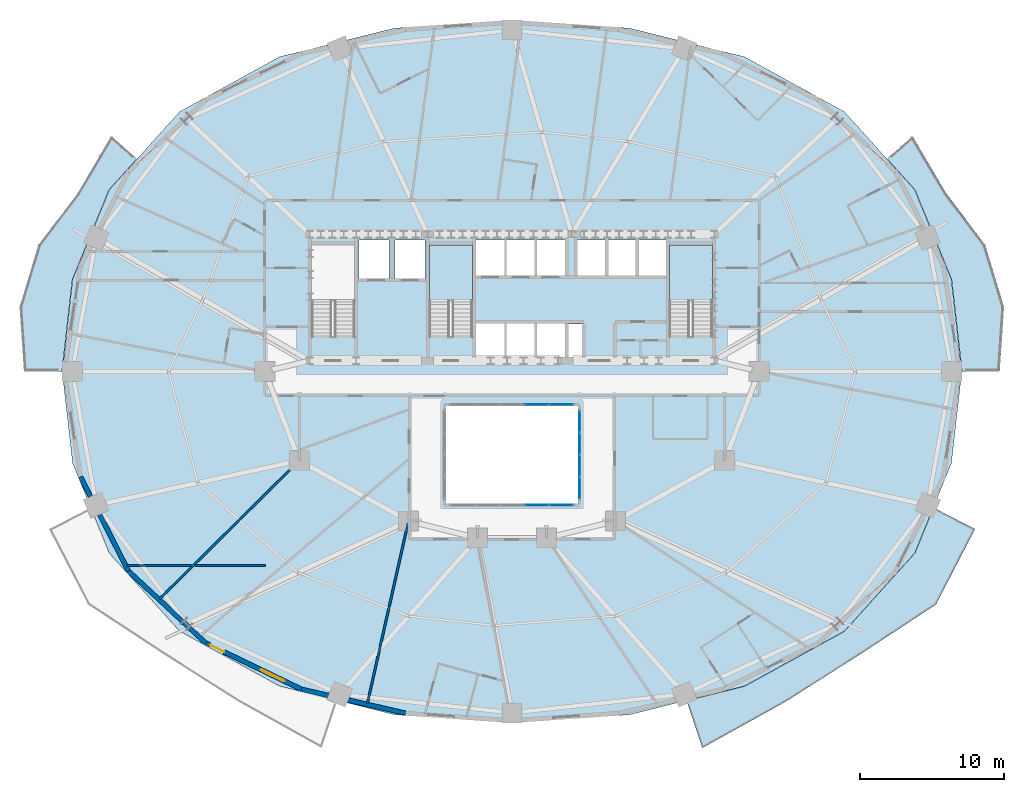
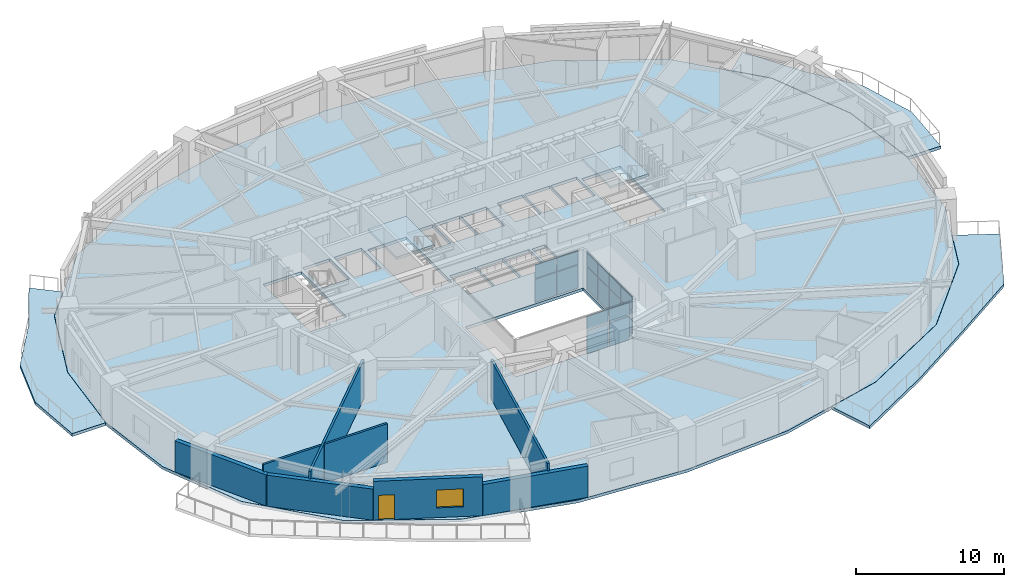
# One storey, part 8 of 17: 16 plates, 8 walls, 6 slabs, 1 door, 1 window, 2 openings, 5 elements without a shape of their own.
"""IFC4 building model written with IfcOpenShell, lengths in metres."""

from ifc_helpers import new_model, si_unit, direction, frame, frame_2d, origin, origin_2d, place, context, subcontext, project, spatial, polyline, rectangle, outline, extrude, material, layer, layer_set, type_object, element, fill, aggregate, save


model = new_model("IFC4")

# Units and contexts
model_context = context("Model", 3, precision=1e-05, world=origin(), true_north=direction((0.0, 1.0)))
body_context = subcontext(model_context, "Body", "Model", "MODEL_VIEW")
ifc_project = project(units=[si_unit("LENGTHUNIT", "METRE"), si_unit("AREAUNIT", "SQUARE_METRE"), si_unit("VOLUMEUNIT", "CUBIC_METRE"), si_unit("PLANEANGLEUNIT", "RADIAN"), si_unit("MASSUNIT", "GRAM", prefix="KILO")], contexts=[model_context])

# Site, building, storey
site_placement = place(None, origin())
site = spatial("IfcSite", under=ifc_project, at=site_placement, CompositionType="ELEMENT")
building_placement = place(site_placement, origin())
building = spatial("IfcBuilding", under=site, at=building_placement, Name="Haldorwick Loom Tower", CompositionType="ELEMENT")
storey_placement = place(building_placement, frame((0.0, 0.0, 58.5)))
storey = spatial("IfcBuildingStorey", under=building, at=storey_placement, Name="L15", CompositionType="ELEMENT", Elevation=58.5)

# Curtain wall, plates
ifc_material_1 = material(Name="Thermally Broken Anodized Aluminium Curtain Wall Framing", Category="aluminium")
curtain_wall_type = type_object("IfcCurtainWallType", Name="ARC-CW-03", PredefinedType="NOTDEFINED", material=ifc_material_1)
curtain_wall_1_placement = place(storey_placement, origin())
curtain_wall_1 = element("IfcCurtainWall", 1, at=curtain_wall_1_placement, inside=storey, type_object=curtain_wall_type, Name="L15 Atrium Glazed Screen S", PredefinedType="NOTDEFINED")
ifc_material_2 = material(Name="Triple-Glazed Low-E Argon Insulated Glazing Unit", Category="glass")
ifc_layer_1 = layer(ifc_material_2, 0.04296875, Name="Triple-Glazed Low-E Argon Insulated Glazing Unit", Category="glass")
ifc_layer_set_1 = layer_set([ifc_layer_1], Name="Triple-Glazed Low-E Argon Insulated Glazing Unit")
plate_type = type_object("IfcPlateType", Name="ARC-CWP-03", PredefinedType="CURTAIN_PANEL", material=ifc_layer_set_1)
plate_1_placement = place(storey_placement, frame((39.423583984375, 16.699951171875, 0.066162109375), z_axis=(0.0, 0.0, 1.0), x_axis=(-1.0, 0.0, 0.0)))
plate_1 = element("IfcPlate", 2, at=plate_1_placement, type_object=plate_type, Name="CW-03 panel 1.1", PredefinedType="CURTAIN_PANEL", context=body_context, shape_type="SweptSolid", body=[
    extrude(rectangle(XDim=1.62109375, YDim=0.04296875, at=origin_2d()), origin(), (0.0, 0.0, 1.0), 1.90087890625),
])
plate_2_placement = place(storey_placement, frame((39.423583984375, 16.699951171875, 2.03271484375), z_axis=(0.0, 0.0, 1.0), x_axis=(-1.0, 0.0, 0.0)))
plate_2 = element("IfcPlate", 3, at=plate_2_placement, type_object=plate_type, Name="CW-03 panel 1.2", PredefinedType="CURTAIN_PANEL", context=body_context, shape_type="SweptSolid", body=[
    extrude(rectangle(XDim=1.62109375, YDim=0.04296875, at=origin_2d()), origin(), (0.0, 0.0, 1.0), 1.111083984375),
])
plate_3_placement = place(storey_placement, frame((37.719970703125, 16.699951171875, 0.066162109375), z_axis=(0.0, 0.0, 1.0), x_axis=(-1.0, 0.0, 0.0)))
plate_3 = element("IfcPlate", 4, at=plate_3_placement, type_object=plate_type, Name="CW-03 panel 2.1", PredefinedType="CURTAIN_PANEL", context=body_context, shape_type="SweptSolid", body=[
    extrude(rectangle(XDim=1.654052734375, YDim=0.04296875, at=origin_2d()), origin(), (0.0, 0.0, 1.0), 1.90087890625),
])
plate_4_placement = place(storey_placement, frame((37.719970703125, 16.699951171875, 2.03271484375), z_axis=(0.0, 0.0, 1.0), x_axis=(-1.0, 0.0, 0.0)))
plate_4 = element("IfcPlate", 5, at=plate_4_placement, type_object=plate_type, Name="CW-03 panel 2.2", PredefinedType="CURTAIN_PANEL", context=body_context, shape_type="SweptSolid", body=[
    extrude(rectangle(XDim=1.654052734375, YDim=0.04296875, at=origin_2d()), origin(), (0.0, 0.0, 1.0), 1.111083984375),
])
aggregate(curtain_wall_1, [plate_1, plate_2, plate_3, plate_4])

curtain_wall_2_placement = place(storey_placement, origin())
curtain_wall_2 = element("IfcCurtainWall", 6, at=curtain_wall_2_placement, inside=storey, type_object=curtain_wall_type, Name="L15 Atrium Glazed Screen N", PredefinedType="NOTDEFINED")
plate_5_placement = place(storey_placement, frame((37.719970703125, 23.699951171875, 0.066162109375), z_axis=(0.0, 0.0, 1.0), x_axis=(1.0, 0.0, 0.0)))
plate_5 = element("IfcPlate", 7, at=plate_5_placement, type_object=plate_type, Name="CW-03 panel 4.1", PredefinedType="CURTAIN_PANEL", context=body_context, shape_type="SweptSolid", body=[
    extrude(rectangle(XDim=1.654052734375, YDim=0.04296875, at=origin_2d()), origin(), (0.0, 0.0, 1.0), 1.90087890625),
])
plate_6_placement = place(storey_placement, frame((37.719970703125, 23.699951171875, 2.03271484375), z_axis=(0.0, 0.0, 1.0), x_axis=(1.0, 0.0, 0.0)))
plate_6 = element("IfcPlate", 8, at=plate_6_placement, type_object=plate_type, Name="CW-03 panel 4.2", PredefinedType="CURTAIN_PANEL", context=body_context, shape_type="SweptSolid", body=[
    extrude(rectangle(XDim=1.654052734375, YDim=0.04296875, at=origin_2d()), origin(), (0.0, 0.0, 1.0), 1.111083984375),
])
plate_7_placement = place(storey_placement, frame((39.423583984375, 23.699951171875, 0.066162109375), z_axis=(0.0, 0.0, 1.0), x_axis=(1.0, 0.0, 0.0)))
plate_7 = element("IfcPlate", 9, at=plate_7_placement, type_object=plate_type, Name="CW-03 panel 5.1", PredefinedType="CURTAIN_PANEL", context=body_context, shape_type="SweptSolid", body=[
    extrude(rectangle(XDim=1.62109375, YDim=0.04296875, at=origin_2d()), origin(), (0.0, 0.0, 1.0), 1.90087890625),
])
plate_8_placement = place(storey_placement, frame((39.423583984375, 23.699951171875, 2.03271484375), z_axis=(0.0, 0.0, 1.0), x_axis=(1.0, 0.0, 0.0)))
plate_8 = element("IfcPlate", 10, at=plate_8_placement, type_object=plate_type, Name="CW-03 panel 5.2", PredefinedType="CURTAIN_PANEL", context=body_context, shape_type="SweptSolid", body=[
    extrude(rectangle(XDim=1.62109375, YDim=0.04296875, at=origin_2d()), origin(), (0.0, 0.0, 1.0), 1.111083984375),
])
aggregate(curtain_wall_2, [plate_5, plate_6, plate_7, plate_8])

curtain_wall_3_placement = place(storey_placement, origin())
curtain_wall_3 = element("IfcCurtainWall", 11, at=curtain_wall_3_placement, inside=storey, type_object=curtain_wall_type, Name="L15 Atrium Glazed Screen E", PredefinedType="NOTDEFINED")
plate_9_placement = place(storey_placement, frame((40.699951171875, 22.508544921875, 0.066162109375), z_axis=(0.0, 0.0, 1.0), x_axis=(0.0, -1.0, 0.0)))
plate_9 = element("IfcPlate", 12, at=plate_9_placement, type_object=plate_type, Name="CW-03 panel 1.1", PredefinedType="CURTAIN_PANEL", context=body_context, shape_type="SweptSolid", body=[
    extrude(rectangle(XDim=1.450927734375, YDim=0.04296875, at=origin_2d()), origin(), (0.0, 0.0, 1.0), 1.90087890625),
])
plate_10_placement = place(storey_placement, frame((40.699951171875, 22.508544921875, 2.03271484375), z_axis=(0.0, 0.0, 1.0), x_axis=(0.0, -1.0, 0.0)))
plate_10 = element("IfcPlate", 13, at=plate_10_placement, type_object=plate_type, Name="CW-03 panel 1.2", PredefinedType="CURTAIN_PANEL", context=body_context, shape_type="SweptSolid", body=[
    extrude(rectangle(XDim=1.450927734375, YDim=0.04296875, at=origin_2d()), origin(), (0.0, 0.0, 1.0), 1.111083984375),
])
plate_11_placement = place(storey_placement, frame((40.699951171875, 20.97509765625, 0.066162109375), z_axis=(0.0, 0.0, 1.0), x_axis=(0.0, -1.0, 0.0)))
plate_11 = element("IfcPlate", 14, at=plate_11_placement, type_object=plate_type, Name="CW-03 panel 2.1", PredefinedType="CURTAIN_PANEL", context=body_context, shape_type="SweptSolid", body=[
    extrude(rectangle(XDim=1.48388671875, YDim=0.04296875, at=origin_2d()), origin(), (0.0, 0.0, 1.0), 1.90087890625),
])
plate_12_placement = place(storey_placement, frame((40.699951171875, 20.97509765625, 2.03271484375), z_axis=(0.0, 0.0, 1.0), x_axis=(0.0, -1.0, 0.0)))
plate_12 = element("IfcPlate", 15, at=plate_12_placement, type_object=plate_type, Name="CW-03 panel 2.2", PredefinedType="CURTAIN_PANEL", context=body_context, shape_type="SweptSolid", body=[
    extrude(rectangle(XDim=1.48388671875, YDim=0.04296875, at=origin_2d()), origin(), (0.0, 0.0, 1.0), 1.111083984375),
])
plate_13_placement = place(storey_placement, frame((40.699951171875, 19.425048828125, 0.066162109375), z_axis=(0.0, 0.0, 1.0), x_axis=(0.0, -1.0, 0.0)))
plate_13 = element("IfcPlate", 16, at=plate_13_placement, type_object=plate_type, Name="CW-03 panel 3.1", PredefinedType="CURTAIN_PANEL", context=body_context, shape_type="SweptSolid", body=[
    extrude(rectangle(XDim=1.48388671875, YDim=0.04296875, at=origin_2d()), origin(), (0.0, 0.0, 1.0), 1.90087890625),
])
plate_14_placement = place(storey_placement, frame((40.699951171875, 19.425048828125, 2.03271484375), z_axis=(0.0, 0.0, 1.0), x_axis=(0.0, -1.0, 0.0)))
plate_14 = element("IfcPlate", 17, at=plate_14_placement, type_object=plate_type, Name="CW-03 panel 3.2", PredefinedType="CURTAIN_PANEL", context=body_context, shape_type="SweptSolid", body=[
    extrude(rectangle(XDim=1.48388671875, YDim=0.04296875, at=origin_2d()), origin(), (0.0, 0.0, 1.0), 1.111083984375),
])
plate_15_placement = place(storey_placement, frame((40.699951171875, 17.8916015625, 0.066162109375), z_axis=(0.0, 0.0, 1.0), x_axis=(0.0, -1.0, 0.0)))
plate_15 = element("IfcPlate", 18, at=plate_15_placement, type_object=plate_type, Name="CW-03 panel 4.1", PredefinedType="CURTAIN_PANEL", context=body_context, shape_type="SweptSolid", body=[
    extrude(rectangle(XDim=1.450927734375, YDim=0.04296875, at=origin_2d()), origin(), (0.0, 0.0, 1.0), 1.90087890625),
])
plate_16_placement = place(storey_placement, frame((40.699951171875, 17.8916015625, 2.03271484375), z_axis=(0.0, 0.0, 1.0), x_axis=(0.0, -1.0, 0.0)))
plate_16 = element("IfcPlate", 19, at=plate_16_placement, type_object=plate_type, Name="CW-03 panel 4.2", PredefinedType="CURTAIN_PANEL", context=body_context, shape_type="SweptSolid", body=[
    extrude(rectangle(XDim=1.450927734375, YDim=0.04296875, at=origin_2d()), origin(), (0.0, 0.0, 1.0), 1.111083984375),
])
aggregate(curtain_wall_3, [plate_9, plate_10, plate_11, plate_12, plate_13, plate_14, plate_15, plate_16])

# Slabs
ifc_material_3 = material(Name="Concrete C40 (40 MPa)", Category="concrete")
ifc_layer_2 = layer(ifc_material_3, 0.239990234375, Name="Concrete C40 (40 MPa)", Category="concrete")
ifc_layer_set_2 = layer_set([ifc_layer_2], Name="Concrete C40 (40 MPa)")
slab_type_1 = type_object("IfcSlabType", Name="STR-SLB-BAL240", PredefinedType="FLOOR", material=ifc_layer_set_2)
slab_1_placement = place(storey_placement, frame((0.0, 0.0, -0.239990234375)))
element("IfcSlab", 20, at=slab_1_placement, inside=storey, type_object=slab_type_1, Name="L15 Sinusoidal Balcony Terrace BAL_SE", PredefinedType="FLOOR", context=body_context, shape_type="SweptSolid", body=[
    extrude(outline(polyline([(65.324462890625, 16.51708984375), (64.031494140625, 13.356689453125), (64.031005859375, 13.355712890625), (64.030517578125, 13.3544921875), (64.02978515625, 13.353515625), (64.02880859375, 13.3525390625), (59.13623046875, 7.92333984375), (59.13525390625, 7.922119140625), (59.1337890625, 7.921142578125), (59.13232421875, 7.92041015625), (52.18310546875, 4.09814453125), (52.18212890625, 4.097412109375), (52.180908203125, 4.096923828125), (52.1796875, 4.0966796875), (48.15185546875, 3.091064453125), (49.24658203125, -0.189208984375), (55.027587890625, 3.0263671875), (60.330810546875, 6.390380859375), (65.49072265625, 9.7822265625), (68.208984375, 15.03076171875), (65.324462890625, 16.51708984375)])), origin(), (0.0, 0.0, 1.0), 0.239990234375),
])
slab_2_placement = place(storey_placement, frame((0.0, 0.0, -0.239990234375)))
element("IfcSlab", 21, at=slab_2_placement, inside=storey, type_object=slab_type_1, Name="L15 Sinusoidal Balcony Terrace BAL_WNW", PredefinedType="FLOOR", context=body_context, shape_type="SweptSolid", body=[
    extrude(outline(polyline([(4.68896484375, 26.0), (4.689208984375, 26.001708984375), (5.41552734375, 32.40087890625), (5.415771484375, 32.40234375), (5.416015625, 32.40380859375), (5.41650390625, 32.405029296875), (7.968505859375, 38.643310546875), (7.968994140625, 38.644287109375), (7.969482421875, 38.6455078125), (7.97021484375, 38.646484375), (7.97119140625, 38.6474609375), (9.901123046875, 40.7890625), (8.1337890625, 42.366943359375), (5.800048828125, 38.401123046875), (3.07373046875, 34.795654296875), (1.771240234375, 30.487060546875), (2.073974609375, 26.0), (4.68896484375, 26.0)])), origin(), (0.0, 0.0, 1.0), 0.239990234375),
])
slab_3_placement = place(storey_placement, frame((0.0, 0.0, -0.239990234375)))
element("IfcSlab", 22, at=slab_3_placement, inside=storey, type_object=slab_type_1, Name="L15 Sinusoidal Balcony Terrace BAL_ENE", PredefinedType="FLOOR", context=body_context, shape_type="SweptSolid", body=[
    extrude(outline(polyline([(62.098876953125, 40.7890625), (64.02880859375, 38.6474609375), (64.02978515625, 38.646484375), (64.030517578125, 38.6455078125), (64.031005859375, 38.644287109375), (64.031494140625, 38.643310546875), (66.58349609375, 32.405029296875), (66.583984375, 32.40380859375), (66.584228515625, 32.40234375), (66.58447265625, 32.40087890625), (67.310791015625, 26.001708984375), (67.31103515625, 26.0), (69.926025390625, 26.0), (70.228759765625, 30.487060546875), (68.92626953125, 34.795654296875), (66.199951171875, 38.401123046875), (63.8662109375, 42.366943359375), (62.098876953125, 40.7890625)])), origin(), (0.0, 0.0, 1.0), 0.239990234375),
])

# Stair, slab
stair_type = type_object("IfcStairType", Name="STR-STR-CORE", PredefinedType="HALF_TURN_STAIR", material=ifc_material_3)
stair_1_placement = place(storey_placement, origin())
stair_1 = element("IfcStair", 23, at=stair_1_placement, inside=storey, type_object=stair_type, Name="L15 Exit Stair ST-02", PredefinedType="HALF_TURN_STAIR")
ifc_layer_3 = layer(ifc_material_3, 0.199951171875, Name="Concrete C40 (40 MPa)", Category="concrete")
ifc_layer_set_3 = layer_set([ifc_layer_3], Name="Concrete C40 (40 MPa)")
slab_type_2 = type_object("IfcSlabType", Name="STR-SLB-LAND200", PredefinedType="LANDING", material=ifc_layer_set_3)
slab_4_placement = place(storey_placement, frame((0.0, 0.0, 1.52490234375)))
slab_4 = element("IfcSlab", 24, at=slab_4_placement, type_object=slab_type_2, Name="ST-02 landing 1", PredefinedType="LANDING", context=body_context, shape_type="SweptSolid", body=[
    extrude(outline(polyline([(49.949951171875, 30.919921875), (49.949951171875, 34.800048828125), (46.949951171875, 34.800048828125), (46.949951171875, 30.919921875), (49.949951171875, 30.919921875)])), origin(), (0.0, 0.0, 1.0), 0.2001953125),
])
aggregate(stair_1, [slab_4])

stair_2_placement = place(storey_placement, origin())
stair_2 = element("IfcStair", 25, at=stair_2_placement, inside=storey, type_object=stair_type, Name="L15 Exit Stair ST-03", PredefinedType="HALF_TURN_STAIR")
slab_5_placement = place(storey_placement, frame((0.0, 0.0, 1.52490234375)))
slab_5 = element("IfcSlab", 26, at=slab_5_placement, type_object=slab_type_2, Name="ST-03 landing 1", PredefinedType="LANDING", context=body_context, shape_type="SweptSolid", body=[
    extrude(outline(polyline([(33.25, 30.919921875), (33.25, 34.800048828125), (30.25, 34.800048828125), (30.25, 30.919921875), (33.25, 30.919921875)])), origin(), (0.0, 0.0, 1.0), 0.2001953125),
])
aggregate(stair_2, [slab_5])

# Slab
ifc_layer_4 = layer(ifc_material_3, 0.239990234375, Name="Concrete C40 (40 MPa)", Category="concrete")
ifc_layer_set_4 = layer_set([ifc_layer_4], Name="Concrete C40 (40 MPa)")
slab_type_3 = type_object("IfcSlabType", Name="STR-SLB-RES240", PredefinedType="FLOOR", material=ifc_layer_set_4)
slab_6_placement = place(storey_placement, frame((0.0, 0.0, -0.239990234375)))
element("IfcSlab", 27, at=slab_6_placement, inside=storey, type_object=slab_type_3, Name="L15 Residential Structural Floor Slab", PredefinedType="FLOOR", context=body_context, shape_type="SweptSolid", body=[
    extrude(outline(polyline([(59.125244140625, 7.933349609375), (64.017578125, 13.362548828125), (66.569580078125, 19.6005859375), (67.2958984375, 26.0), (66.569580078125, 32.3994140625), (64.017578125, 38.637451171875), (59.125244140625, 44.066650390625), (52.176025390625, 47.888916015625), (44.191162109375, 49.882568359375), (36.0, 50.449951171875), (27.808837890625, 49.882568359375), (19.823974609375, 47.888916015625), (12.874755859375, 44.066650390625), (7.982421875, 38.637451171875), (5.430419921875, 32.3994140625), (4.7041015625, 26.0), (5.430419921875, 19.6005859375), (7.982421875, 13.362548828125), (12.874755859375, 7.933349609375), (19.823974609375, 4.111083984375), (27.808837890625, 2.117431640625), (36.0, 1.550048828125), (44.191162109375, 2.117431640625), (52.176025390625, 4.111083984375), (59.125244140625, 7.933349609375)]), holes=[polyline([(31.39990234375, 23.60009765625), (40.60009765625, 23.60009765625), (40.60009765625, 16.800048828125), (31.39990234375, 16.800048828125), (31.39990234375, 23.60009765625)]), polyline([(33.5, 26.85009765625), (33.5, 29.35009765625), (35.5, 29.35009765625), (35.5, 26.85009765625), (33.5, 26.85009765625)]), polyline([(22.050048828125, 28.39990234375), (22.050048828125, 34.800048828125), (25.050048828125, 34.800048828125), (25.050048828125, 28.639892578125), (23.6201171875, 28.639892578125), (23.6201171875, 28.39990234375), (22.050048828125, 28.39990234375)]), polyline([(30.25, 28.39990234375), (30.25, 34.800048828125), (33.25, 34.800048828125), (33.25, 28.639892578125), (31.820068359375, 28.639892578125), (31.820068359375, 28.39990234375), (30.25, 28.39990234375)]), polyline([(25.35009765625, 32.449951171875), (25.35009765625, 35.14990234375), (27.449951171875, 35.14990234375), (27.449951171875, 32.449951171875), (25.35009765625, 32.449951171875)]), polyline([(27.85009765625, 32.449951171875), (27.85009765625, 35.14990234375), (29.949951171875, 35.14990234375), (29.949951171875, 32.449951171875), (27.85009765625, 32.449951171875)]), polyline([(33.5, 32.64990234375), (33.5, 35.14990234375), (35.5, 35.14990234375), (35.5, 32.64990234375), (33.5, 32.64990234375)]), polyline([(35.60009765625, 32.64990234375), (35.60009765625, 35.14990234375), (37.60009765625, 35.14990234375), (37.60009765625, 32.64990234375), (35.60009765625, 32.64990234375)]), polyline([(35.60009765625, 26.85009765625), (35.60009765625, 29.35009765625), (37.60009765625, 29.35009765625), (37.60009765625, 26.85009765625), (35.60009765625, 26.85009765625)]), polyline([(37.699951171875, 26.85009765625), (37.699951171875, 29.35009765625), (39.699951171875, 29.35009765625), (39.699951171875, 26.85009765625), (37.699951171875, 26.85009765625)]), polyline([(39.89990234375, 26.89990234375), (39.89990234375, 29.300048828125), (40.89990234375, 29.300048828125), (40.89990234375, 26.89990234375), (39.89990234375, 26.89990234375)]), polyline([(46.949951171875, 28.39990234375), (46.949951171875, 34.800048828125), (49.949951171875, 34.800048828125), (49.949951171875, 28.639892578125), (48.52001953125, 28.639892578125), (48.52001953125, 28.39990234375), (46.949951171875, 28.39990234375)]), polyline([(37.699951171875, 32.64990234375), (37.699951171875, 35.14990234375), (39.699951171875, 35.14990234375), (39.699951171875, 32.64990234375), (37.699951171875, 32.64990234375)]), polyline([(40.550048828125, 32.64990234375), (40.550048828125, 35.14990234375), (42.550048828125, 35.14990234375), (42.550048828125, 32.64990234375), (40.550048828125, 32.64990234375)]), polyline([(42.64990234375, 32.64990234375), (42.64990234375, 35.14990234375), (44.64990234375, 35.14990234375), (44.64990234375, 32.64990234375), (42.64990234375, 32.64990234375)]), polyline([(44.75, 32.64990234375), (44.75, 35.14990234375), (46.75, 35.14990234375), (46.75, 32.64990234375), (44.75, 32.64990234375)])]), origin(), (0.0, 0.0, 1.0), 0.239990234375),
])

# Walls
ifc_material_4 = material(Name="Pressed Clay Face Brick and Insulated Masonry Backup Assembly", Category="masonry")
ifc_layer_5 = layer(ifc_material_4, 0.320068359375, Name="Pressed Clay Face Brick and Insulated Masonry Backup Assembly", Category="masonry")
ifc_layer_set_5 = layer_set([ifc_layer_5], Name="Pressed Clay Face Brick and Insulated Masonry Backup Assembly")
wall_type_1 = type_object("IfcWallType", Name="ARC-WL-EXT320", PredefinedType="STANDARD", material=ifc_layer_set_5)
for number, where, z_axis, x_axis, name in (
    (28, (5.978271484375, 18.679443359375, 0.0), (0.0, 0.0, 1.0), (0.452950855928, -0.891535485617, 0.0), "L15 Brick Pier and Spandrel Wall 14"),
    (29, (9.311279296875, 12.119140625, 0.0), (0.0, 0.0, 1.0), (0.73176101237, -0.681561311091, 0.0), "L15 Brick Pier and Spandrel Wall 15"),
):
    element("IfcWall", number, at=place(storey_placement, frame(where, z_axis=z_axis, x_axis=x_axis)), inside=storey, type_object=wall_type_1, Name=name, PredefinedType="STANDARD", context=body_context, shape_type="SweptSolid", body=[
        extrude(rectangle(XDim=7.3583984375, YDim=0.320068359375, at=frame_2d((3.67919921875, 0.0))), origin(), (0.0, 0.0, 1.0), 2.569091796875),
    ])

# Wall, openings, door, window
wall_1_placement = place(storey_placement, frame((14.69580078125, 7.10400390625, 0.0), z_axis=(0.0, 0.0, 1.0), x_axis=(0.900295710431, -0.435278800057, 0.0)))
wall_1 = element("IfcWall", 30, at=wall_1_placement, inside=storey, type_object=wall_type_1, Name="L15 Brick Pier and Spandrel Wall 16", PredefinedType="STANDARD", context=body_context, shape_type="SweptSolid", body=[
    extrude(rectangle(XDim=7.39697265625, YDim=0.320068359375, at=frame_2d((3.698486328125, 0.0))), origin(), (0.0, 0.0, 1.0), 3.2099609375),
])
opening_1_placement = place(wall_1_placement, frame((0.340087890625, 0.0, 0.0)))
opening_1 = element("IfcOpeningElement", 31, at=opening_1_placement, cuts=wall_1, Name="Opening D-BL11", PredefinedType="OPENING", context=body_context, shape_type="SweptSolid", body=[
    extrude(rectangle(XDim=1.080078125, YDim=2.0400390625, at=frame_2d((0.5400390625, 1.02001953125))), frame((0.0, 0.169921875, 0.0), z_axis=(0.0, -1.0, 0.0), x_axis=(1.0, 0.0, 0.0)), (0.0, 0.0, 1.0), 0.340087890625),
])
opening_2_placement = place(wall_1_placement, frame((4.27783203125, 0.0, 0.800048828125)))
opening_2 = element("IfcOpeningElement", 32, at=opening_2_placement, cuts=wall_1, Name="Opening W-01", PredefinedType="OPENING", context=body_context, shape_type="SweptSolid", body=[
    extrude(rectangle(XDim=1.800048828125, YDim=1.47998046875, at=frame_2d((0.89990234375, 0.739990234375))), frame((0.0, 0.169921875, 0.0), z_axis=(0.0, -1.0, 0.0), x_axis=(1.0, 0.0, 0.0)), (0.0, 0.0, 1.0), 0.340087890625),
])
door_type = type_object("IfcDoorType", Name="ARC-DR-BAL110", OperationType="NOTDEFINED", PredefinedType="DOOR", material=ifc_material_1)
door_placement = place(opening_1_placement, origin())
door = element("IfcDoor", 33, at=door_placement, inside=storey, type_object=door_type, Name="L15 Outdoor Terrace Door SLB-L15-BAL_SW", OperationType="SINGLE_SWING_RIGHT", OverallHeight=2.0400390625, OverallWidth=1.080078125, PredefinedType="DOOR", context=body_context, shape_type="SweptSolid", body=[
    extrude(rectangle(XDim=1.080078125, YDim=2.0400390625, at=frame_2d((0.5400390625, 1.02001953125))), frame((0.0, 0.02490234375, 0.0), z_axis=(0.0, -1.0, 0.0), x_axis=(1.0, 0.0, 0.0)), (0.0, 0.0, 1.0), 0.050048828125),
])
fill(opening_1, door)
window_type = type_object("IfcWindowType", Name="ARC-WIN-W180", PartitioningType="SINGLE_PANEL", PredefinedType="WINDOW", material=ifc_material_2)
window_placement = place(opening_2_placement, origin())
window = element("IfcWindow", 34, at=window_placement, inside=storey, type_object=window_type, Name="L15 Deep-Set Zone 7A Window 16", OverallHeight=1.47998046875, OverallWidth=1.800048828125, PartitioningType="SINGLE_PANEL", PredefinedType="WINDOW", context=body_context, shape_type="SweptSolid", body=[
    extrude(rectangle(XDim=1.800048828125, YDim=1.47998046875, at=frame_2d((0.89990234375, 0.739990234375))), frame((0.0, 0.030029296875, 0.0), z_axis=(0.0, -1.0, 0.0), x_axis=(1.0, 0.0, 0.0)), (0.0, 0.0, 1.0), 0.06005859375),
])
fill(opening_2, window)

# Walls
wall_2_placement = place(storey_placement, frame((21.355224609375, 3.88427734375, 0.0), z_axis=(0.0, 0.0, 1.0), x_axis=(0.974522412345, -0.224290142088, 0.0)))
element("IfcWall", 35, at=wall_2_placement, inside=storey, type_object=wall_type_1, Name="L15 Brick Pier and Spandrel Wall 17", PredefinedType="STANDARD", context=body_context, shape_type="SweptSolid", body=[
    extrude(rectangle(XDim=7.422607421875, YDim=0.320068359375, at=frame_2d((3.71142578125, 0.0))), origin(), (0.0, 0.0, 1.0), 2.569091796875),
])
ifc_material_5 = material(Name="Fire-Rated Type X Gypsum Stud Assembly EI 60")
ifc_layer_6 = layer(ifc_material_5, 0.159912109375, Name="Fire-Rated Type X Gypsum Stud Assembly EI 60")
ifc_layer_set_6 = layer_set([ifc_layer_6], Name="Fire-Rated Type X Gypsum Stud Assembly EI 60")
wall_type_2 = type_object("IfcWallType", Name="ARC-WL-FIRE160", PredefinedType="PARTITIONING", material=ifc_layer_set_6)
wall_3_placement = place(storey_placement, frame((28.76708984375, 15.45361328125, 0.0), z_axis=(0.0, 0.0, 1.0), x_axis=(-0.21976718315, -0.97555234878, 0.0)))
element("IfcWall", 36, at=wall_3_placement, inside=storey, type_object=wall_type_2, Name="L15 Residential Fire Partition L15-ICR-10", PredefinedType="PARTITIONING", context=body_context, shape_type="SweptSolid", body=[
    extrude(rectangle(XDim=12.8720703125, YDim=0.159912109375, at=frame_2d((6.43603515625, 0.0))), origin(), (0.0, 0.0, 1.0), 3.195068359375),
])
wall_4_placement = place(storey_placement, frame((21.199951171875, 19.800048828125, 0.0), z_axis=(0.0, 0.0, 1.0), x_axis=(-0.710429801282, -0.703768070781, 0.0)))
element("IfcWall", 37, at=wall_4_placement, inside=storey, type_object=wall_type_2, Name="L15 Residential Fire Partition L15-ICR-12", PredefinedType="PARTITIONING", context=body_context, shape_type="SweptSolid", body=[
    extrude(rectangle(XDim=13.669677734375, YDim=0.159912109375, at=frame_2d((6.8349609375, 0.0))), origin(), (0.0, 0.0, 1.0), 3.195068359375),
])
wall_5_placement = place(storey_placement, frame((9.190673828125, 12.5, 0.0), z_axis=(0.0, 0.0, 1.0), x_axis=(1.0, 0.0, 0.0)))
element("IfcWall", 38, at=wall_5_placement, inside=storey, type_object=wall_type_2, Name="L15 Residential Fire Partition L15-FLW-19", PredefinedType="PARTITIONING", context=body_context, shape_type="SweptSolid", body=[
    extrude(rectangle(XDim=4.522216796875, YDim=0.159912109375, at=frame_2d((2.26123046875, 0.0))), origin(), (0.0, 0.0, 1.0), 3.195068359375),
])
wall_6_placement = place(storey_placement, frame((13.94873046875, 12.5, 0.0), z_axis=(0.0, 0.0, 1.0), x_axis=(1.0, 0.0, 0.0)))
element("IfcWall", 39, at=wall_6_placement, inside=storey, type_object=wall_type_2, Name="L15 Residential Fire Partition L15-FLW-19", PredefinedType="PARTITIONING", context=body_context, shape_type="SweptSolid", body=[
    extrude(rectangle(XDim=4.9013671875, YDim=0.159912109375, at=frame_2d((2.45068359375, 0.0))), origin(), (0.0, 0.0, 1.0), 3.195068359375),
])

save(model, "model.ifc")
